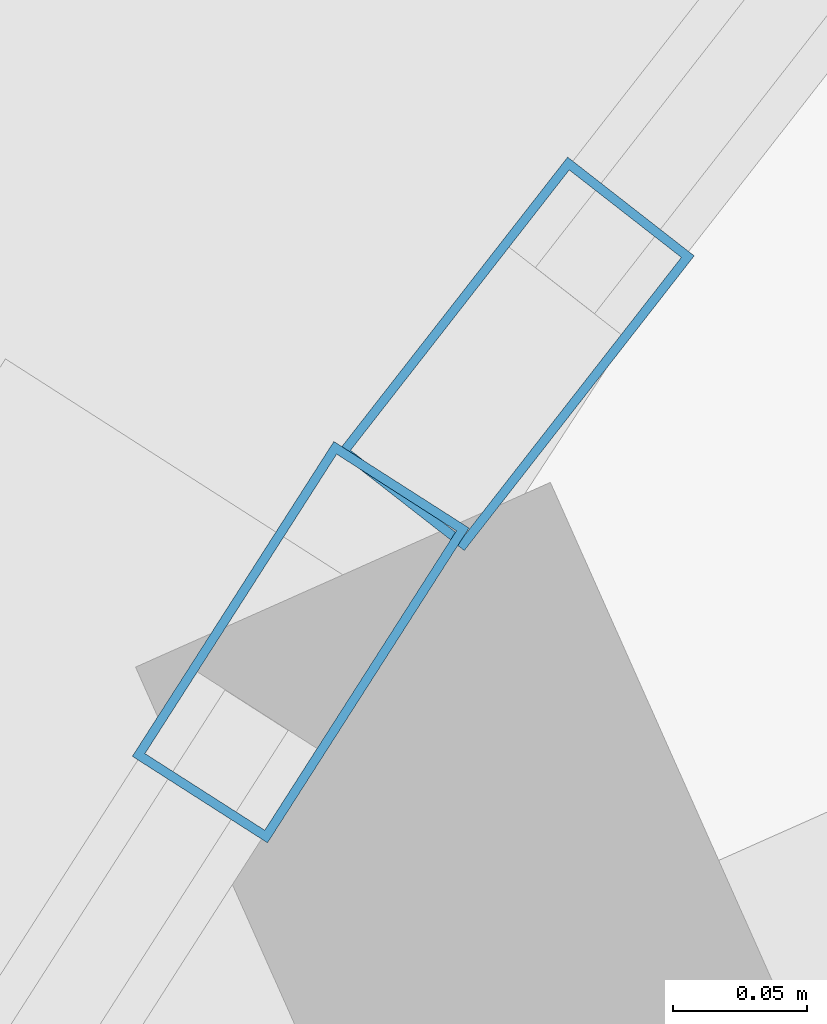
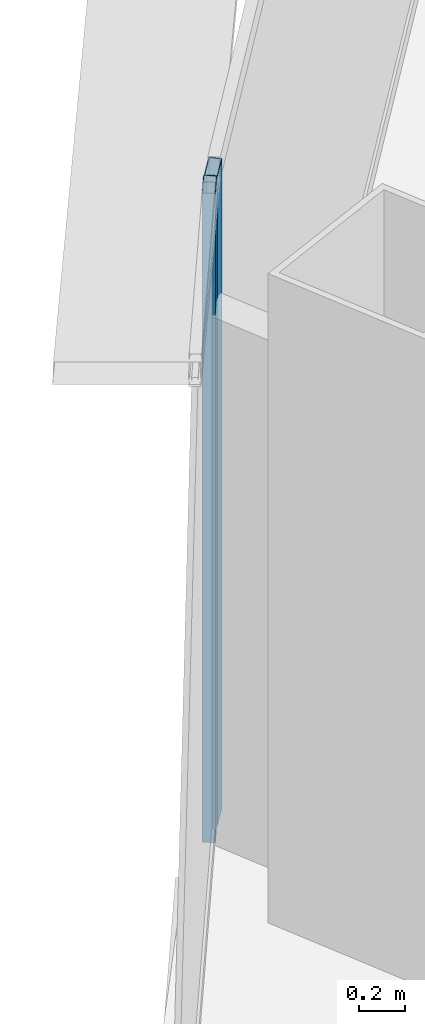
# One storey, part 18 of 36: 2 members, 2 elements without a shape of their own.
"""IFC4 building model written with IfcOpenShell, lengths in metres."""

from ifc_helpers import new_model, si_unit, direction, frame, origin, origin_2d, place, context, subcontext, project, spatial, hollow_rectangle, extrude, source, transform, mapped, material, layer, layer_set, material_profile, profile_set, type_object, element, aggregate, save


model = new_model("IFC4")

# Units and contexts
model_context = context("Model", 3, precision=1e-05, world=origin(), true_north=direction((0.0, 1.0)))
body_context = subcontext(model_context, "Body", "Model", "MODEL_VIEW")
ifc_project = project(units=[si_unit("LENGTHUNIT", "METRE"), si_unit("AREAUNIT", "SQUARE_METRE"), si_unit("VOLUMEUNIT", "CUBIC_METRE"), si_unit("PLANEANGLEUNIT", "RADIAN"), si_unit("MASSUNIT", "GRAM", prefix="KILO"), si_unit("THERMODYNAMICTEMPERATUREUNIT", "KELVIN"), si_unit("POWERUNIT", "WATT")], contexts=[model_context])

# Site, building, storey
site_placement = place(None, origin())
site = spatial("IfcSite", under=ifc_project, at=site_placement, CompositionType="ELEMENT")
building_placement = place(site_placement, origin())
building = spatial("IfcBuilding", under=site, at=building_placement, Name="Yunzhuo Pagoda Commons", CompositionType="ELEMENT")
storey_placement = place(building_placement, frame((0.0, 0.0, 263.179931640625)))
storey = spatial("IfcBuildingStorey", under=building, at=storey_placement, Name="L66", CompositionType="ELEMENT", Elevation=263.179931640625)

# Curtain wall, member
ifc_material = material(Name="Anodized aluminium 6063-T6", Category="aluminium")
ifc_layer = layer(ifc_material, 0.139892578125)
ifc_layer_set = layer_set([ifc_layer], Name="Anodized aluminium 6063-T6")
curtain_wall_type = type_object("IfcCurtainWallType", Name="CW-HI High-Zone Ribbon Curtain Wall", PredefinedType="NOTDEFINED", material=ifc_layer_set)
curtain_wall_1_placement = place(storey_placement, origin())
curtain_wall_1 = element("IfcCurtainWall", 1, at=curtain_wall_1_placement, inside=storey, type_object=curtain_wall_type, Name="L66 curtain wall CW-L66-F3B2", PredefinedType="NOTDEFINED")
ifc_material_profile = material_profile(ifc_material, hollow_rectangle(XDim=0.06005859375, YDim=0.139892578125, WallThickness=0.00341796875, at=origin_2d()), Name="Anodized aluminium 6063-T6")
ifc_profile_set = profile_set([ifc_material_profile], Name="Anodized aluminium 6063-T6")
member_type = type_object("IfcMemberType", Name="CW-HI-M Mullion RHS 140x60x3.5", PredefinedType="MULLION", material=ifc_profile_set)
shared_shape = source(origin(), body_context, "Body", "SweptSolid", [
    extrude(hollow_rectangle(XDim=0.06005859375, YDim=0.139892578125, WallThickness=0.00341796875, at=origin_2d()), origin(), (0.0, 0.0, 1.0), 3.469970703125),
])
member_1_placement = place(storey_placement, frame((34.150390625, 64.745849609375, 0.0), z_axis=(0.0, 0.0, 1.0), x_axis=(0.842255727545, -0.539078184884, 0.0)))
member_1 = element("IfcMember", 2, at=member_1_placement, type_object=member_type, Name="CW mullion 1", PredefinedType="MULLION", context=body_context, shape_type="MappedRepresentation", body=[
    mapped(shared_shape, transform((0.0, 0.0, 0.0), scale=1.0)),
])
aggregate(curtain_wall_1, [member_1])

curtain_wall_2_placement = place(storey_placement, origin())
curtain_wall_2 = element("IfcCurtainWall", 3, at=curtain_wall_2_placement, inside=storey, type_object=curtain_wall_type, Name="L66 curtain wall CW-L66-F3B1", PredefinedType="NOTDEFINED")
member_2_placement = place(storey_placement, frame((34.23095703125, 64.853759765625, 0.0), z_axis=(0.0, 0.0, 1.0), x_axis=(0.788480008462, -0.615060384235, 0.0)))
member_2 = element("IfcMember", 4, at=member_2_placement, type_object=member_type, Name="CW mullion 2", PredefinedType="MULLION", context=body_context, shape_type="MappedRepresentation", body=[
    mapped(shared_shape, transform((0.0, 0.0, 0.0), scale=1.0)),
])
aggregate(curtain_wall_2, [member_2])

save(model, "model.ifc")
